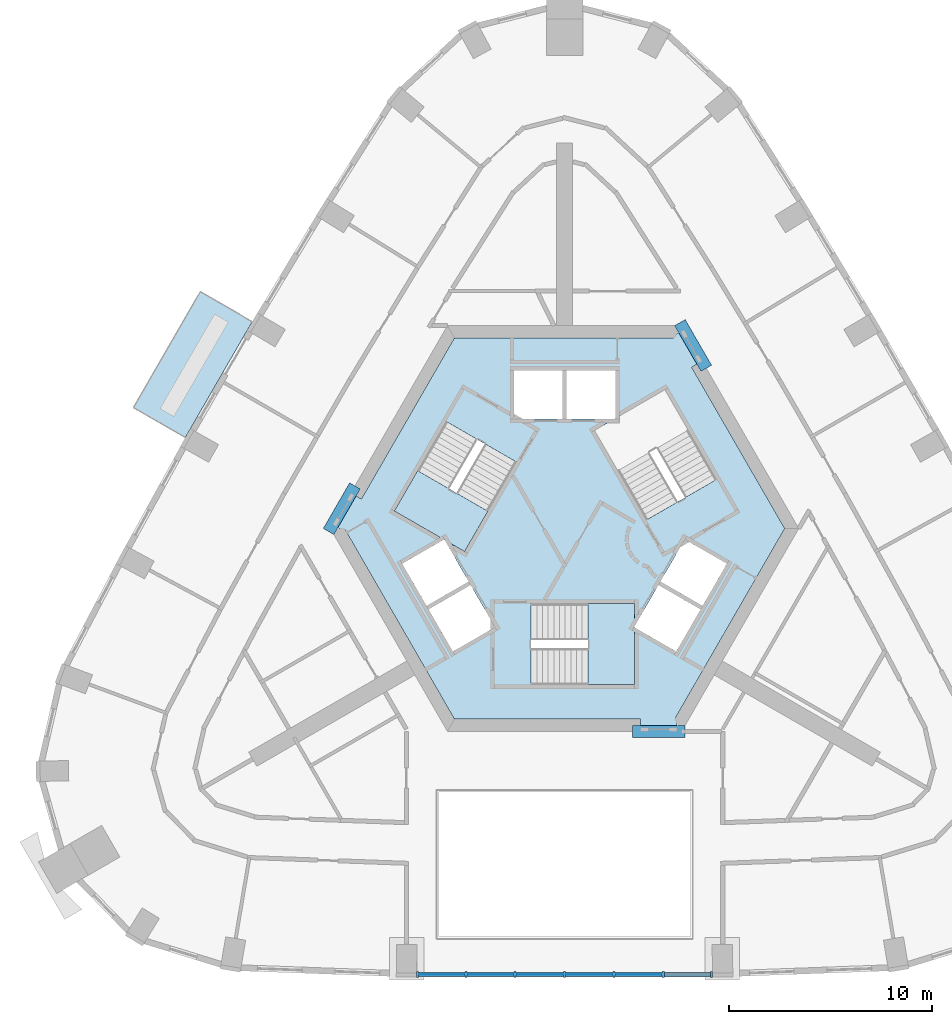
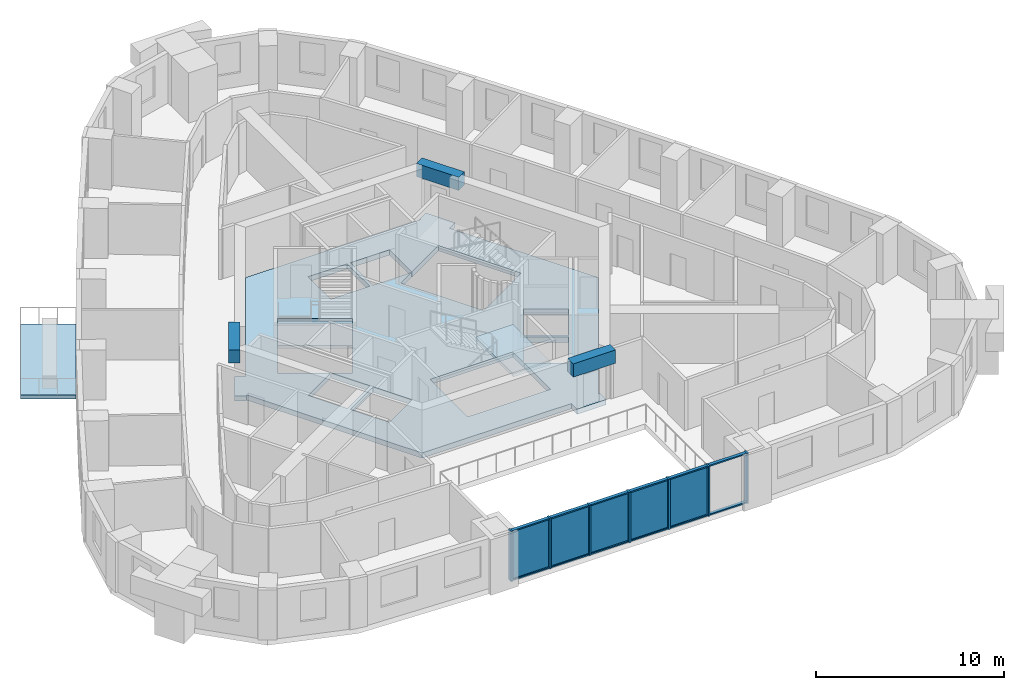
# One storey, part 2 of 11: 19 members, 5 plates, 4 slabs, 3 beams, 3 elements without a shape of their own.
"""IFC4 building model written with IfcOpenShell, lengths in metres."""

import ifcopenshell
import ifcopenshell.guid

model = None  # the IFC model being written
_history = None  # IfcOwnerHistory: only IFC2X3 demands one
_inside = {}  # id of a spatial element -> (the spatial element, [elements in it])
_under = {}  # id of a project, library or spatial element -> (it, [spatial elements below it])
_declared = {}  # id of a project -> (the project, [libraries it declares])
_typed = {}  # id of a type object -> (the type object, [elements of that type])
_made_of = {}  # id of a material, layer set ... -> (it, [elements and type objects made of it])


def new_model(schema):
    """Start an empty IFC model of exactly this schema.

    Asked for "IFC4X3", IfcOpenShell would pick the latest addendum, in which some entities
    have other attributes; the version numbers below select the first issue.
    IFC2X3 requires an IfcOwnerHistory on every rooted entity: one is made here for all.
    """
    global model, _history
    if schema == "IFC4X3":
        model = ifcopenshell.file(schema_version=(4, 3, 0, 0))
    else:
        model = ifcopenshell.file(schema=schema)
    _inside.clear()
    _under.clear()
    _declared.clear()
    _typed.clear()
    _made_of.clear()
    _history = None
    if model.schema == "IFC2X3":
        org = make("IfcOrganization", Name="unknown")
        user = make(
            "IfcPersonAndOrganization",
            ThePerson=make("IfcPerson", FamilyName="unknown"),
            TheOrganization=org,
        )
        app = make(
            "IfcApplication",
            ApplicationDeveloper=org,
            Version="unknown",
            ApplicationFullName="unknown",
            ApplicationIdentifier="unknown",
        )
        _history = make(
            "IfcOwnerHistory",
            OwningUser=user,
            OwningApplication=app,
            ChangeAction="ADDED",
            CreationDate=0,
        )
    return model


def make(cls, **values):
    """One entity of the class cls with the attributes given. An attribute that is None is left unset."""
    return model.create_entity(
        cls, **{name: value for name, value in values.items() if value is not None}
    )


def rooted(cls, **values):
    """An entity with a GlobalId (a new one), such as an element, a storey or a relation."""
    return make(cls, GlobalId=ifcopenshell.guid.new(), OwnerHistory=_history, **values)


def si_unit(unit_type, name, prefix=None):
    """IfcSIUnit, for example si_unit("LENGTHUNIT", "METRE", prefix="MILLI")."""
    return make("IfcSIUnit", UnitType=unit_type, Prefix=prefix, Name=name)


def assignment(units):
    """IfcUnitAssignment: the units of a project."""
    return None if units is None else make("IfcUnitAssignment", Units=units)


def point(xyz):
    """IfcCartesianPoint."""
    return None if xyz is None else make("IfcCartesianPoint", Coordinates=xyz)


def direction(xyz):
    """IfcDirection."""
    return None if xyz is None else make("IfcDirection", DirectionRatios=xyz)


def frame(location, z_axis=None, x_axis=None):
    """IfcAxis2Placement3D, a coordinate frame: its origin and axes. An axis left out is left unset."""
    return make(
        "IfcAxis2Placement3D",
        Location=point(location),
        Axis=direction(z_axis),
        RefDirection=direction(x_axis),
    )


def frame_2d(location, x_axis=None):
    """IfcAxis2Placement2D, a coordinate frame in the plane: its origin and x axis."""
    return make(
        "IfcAxis2Placement2D", Location=point(location), RefDirection=direction(x_axis)
    )


def origin():
    """The frame at (0, 0, 0) with its axes left unset."""
    return frame((0.0, 0.0, 0.0))


def origin_2d():
    """The frame at (0, 0) in the plane with its x axis left unset."""
    return frame_2d((0.0, 0.0))


def place(relative_to, where):
    """IfcLocalPlacement: puts the frame where relative to a parent placement (None: the world)."""
    return make(
        "IfcLocalPlacement", PlacementRelTo=relative_to, RelativePlacement=where
    )


def context(
    kind, dimensions, precision=None, world=None, true_north=None, identifier=None
):
    """IfcGeometricRepresentationContext, for example the 3D "Model" context."""
    return make(
        "IfcGeometricRepresentationContext",
        ContextIdentifier=identifier,
        ContextType=kind,
        CoordinateSpaceDimension=dimensions,
        Precision=precision,
        WorldCoordinateSystem=world,
        TrueNorth=true_north,
    )


def subcontext(parent, identifier, kind, view, scale=None):
    """IfcGeometricRepresentationSubContext, for example "Body" below "Model"."""
    return make(
        "IfcGeometricRepresentationSubContext",
        ContextIdentifier=identifier,
        ContextType=kind,
        ParentContext=parent,
        TargetScale=scale,
        TargetView=view,
    )


def project(units=None, contexts=None):
    """IfcProject with its units and contexts."""
    return rooted(
        "IfcProject",
        Name="project",
        RepresentationContexts=contexts,
        UnitsInContext=assignment(units),
    )


def spatial(cls, under=None, at=None, **own):
    """A site, building, storey or space (cls), placed at a placement, below another one or the project."""
    s = rooted(cls, ObjectPlacement=at, **own)
    if under is not None:
        _under.setdefault(under.id(), (under, []))[1].append(s)
    return s


def polyline(points):
    """IfcPolyline through the points."""
    return make("IfcPolyline", Points=[point(p) for p in points])


def profile(cls, at=None, kind="AREA", **sizes):
    """A parametric profile (cls). Its sizes go by their IFC names, for example OverallWidth=200.0."""
    return make(cls, ProfileType=kind, Position=at, **sizes)


def rectangle(**sizes):
    """IfcRectangleProfileDef."""
    return profile("IfcRectangleProfileDef", **sizes)


def outline(outer, holes=None, kind="AREA"):
    """IfcArbitraryClosedProfileDef: a profile drawn as a closed curve; with holes, ...WithVoids."""
    if holes is None:
        return make("IfcArbitraryClosedProfileDef", ProfileType=kind, OuterCurve=outer)
    return make(
        "IfcArbitraryProfileDefWithVoids",
        ProfileType=kind,
        OuterCurve=outer,
        InnerCurves=holes,
    )


def extrude(swept, where, along, depth):
    """IfcExtrudedAreaSolid: the profile swept, set in the frame where, extruded along a direction by depth."""
    return make(
        "IfcExtrudedAreaSolid",
        SweptArea=swept,
        Position=where,
        ExtrudedDirection=direction(along),
        Depth=depth,
    )


def shape(context_of_items, identifier, shape_type, items):
    """IfcShapeRepresentation: the items that make up one representation, for example the "Body"."""
    return make(
        "IfcShapeRepresentation",
        ContextOfItems=context_of_items,
        RepresentationIdentifier=identifier,
        RepresentationType=shape_type,
        Items=items,
    )


def material(Name=None, Category=None):
    """IfcMaterial."""
    return make("IfcMaterial", Name=Name, Category=Category)


def layer(
    of_material, thickness, ventilated=None, Name=None, Category=None, Priority=None
):
    """IfcMaterialLayer: one layer of a wall or slab, of a material (None: an air gap)."""
    return make(
        "IfcMaterialLayer",
        Material=of_material,
        LayerThickness=thickness,
        IsVentilated=ventilated,
        Name=Name,
        Category=Category,
        Priority=Priority,
    )


def layer_set(layers, Name=None):
    """IfcMaterialLayerSet."""
    return make("IfcMaterialLayerSet", MaterialLayers=layers, LayerSetName=Name)


def material_profile(
    of_material, cross_section, Name=None, Category=None, Priority=None
):
    """IfcMaterialProfile: a cross section and its material."""
    return make(
        "IfcMaterialProfile",
        Name=Name,
        Material=of_material,
        Profile=cross_section,
        Priority=Priority,
        Category=Category,
    )


def profile_set(profiles, Name=None, composite=None):
    """IfcMaterialProfileSet."""
    return make(
        "IfcMaterialProfileSet",
        Name=Name,
        MaterialProfiles=profiles,
        CompositeProfile=composite,
    )


def made_of(thing, what):
    """Note that an element or type object is made of a material, layer set ...; save() writes the relation."""
    if what is not None:
        _made_of.setdefault(what.id(), (what, []))[1].append(thing)
    return thing


def type_object(cls, material=None, **own):
    """A type object (cls), such as IfcWallType, which elements share."""
    return made_of(rooted(cls, **own), material)


def element(
    cls,
    number,
    at=None,
    inside=None,
    cuts=None,
    type_object=None,
    material=None,
    context=None,
    identifier="Body",
    shape_type=None,
    held_by="IfcProductDefinitionShape",
    body=None,
    shapes=None,
    **own,
):
    """One element of the class cls, such as IfcWall. Its Tag is "e" and its number.

    at: its placement. inside: the storey or other place that contains it. cuts: it is an
    opening in that element (IfcRelVoidsElement). A single representation is given by context,
    identifier, shape_type and body (its items); several are given by shapes. held_by: the class
    of the entity that holds the representations. save() writes the other relations.
    """
    e = rooted(cls, Tag="e%d" % number, ObjectPlacement=at, **own)
    if body is not None:
        shapes = [shape(context, identifier, shape_type, body)]
    if shapes is not None:
        e.Representation = make(held_by, Representations=shapes)
    if inside is not None:
        _inside.setdefault(inside.id(), (inside, []))[1].append(e)
    if cuts is not None:
        rooted(
            "IfcRelVoidsElement", RelatingBuildingElement=cuts, RelatedOpeningElement=e
        )
    if type_object is not None:
        _typed.setdefault(type_object.id(), (type_object, []))[1].append(e)
    return made_of(e, material)


def aggregate(whole, parts):
    """IfcRelAggregates: a whole, such as a stair, and the parts it consists of."""
    return rooted("IfcRelAggregates", RelatingObject=whole, RelatedObjects=parts)


def save(model, path):
    """Write the relations noted so far, then the file.

    IfcRelAggregates (storeys below a building ...), IfcRelContainedInSpatialStructure (elements
    in a storey), IfcRelDefinesByType, IfcRelAssociatesMaterial and IfcRelDeclares: one each for
    every whole, place, type object, material and project.
    """
    for whole, parts in _under.values():
        aggregate(whole, parts)
    for where, things in _inside.values():
        rooted(
            "IfcRelContainedInSpatialStructure",
            RelatedElements=things,
            RelatingStructure=where,
        )
    for kind, things in _typed.values():
        rooted("IfcRelDefinesByType", RelatedObjects=things, RelatingType=kind)
    for what, things in _made_of.values():
        rooted("IfcRelAssociatesMaterial", RelatedObjects=things, RelatingMaterial=what)
    for by, libraries in _declared.values():
        rooted("IfcRelDeclares", RelatingContext=by, RelatedDefinitions=libraries)
    model.write(path)


model = new_model("IFC4")

# Units and contexts
model_context = context("Model", 3, precision=1e-05, world=origin(), true_north=direction((0.0, 1.0)))
body_context = subcontext(model_context, "Body", "Model", "MODEL_VIEW")
ifc_project = project(units=[si_unit("LENGTHUNIT", "METRE"), si_unit("AREAUNIT", "SQUARE_METRE"), si_unit("VOLUMEUNIT", "CUBIC_METRE"), si_unit("PLANEANGLEUNIT", "RADIAN"), si_unit("MASSUNIT", "GRAM", prefix="KILO")], contexts=[model_context])

# Site, building, storey
site_placement = place(None, origin())
site = spatial("IfcSite", under=ifc_project, at=site_placement, CompositionType="ELEMENT")
building_placement = place(site_placement, origin())
building = spatial("IfcBuilding", under=site, at=building_placement, Name="Entoto Arch Interchange Tower", CompositionType="ELEMENT")
storey_placement = place(building_placement, frame((0.0, 0.0, 248.60009765625)))
storey = spatial("IfcBuildingStorey", under=building, at=storey_placement, Name="L56", CompositionType="ELEMENT", Elevation=248.60009765625)

# Beams
ifc_material_1 = material(Name="Concrete C40/50", Category="concrete")
ifc_material_profile_1 = material_profile(ifc_material_1, rectangle(XDim=0.60009765625, YDim=0.860107421875, at=origin_2d()))
ifc_profile_set_1 = profile_set([ifc_material_profile_1], Name="Concrete C40/50")
beam_type = type_object("IfcBeamType", Name="Coupling beam RC 600x860 C40/50", PredefinedType="BEAM", material=ifc_profile_set_1)
beam_1_placement = place(storey_placement, frame((6.986083984375, 10.40087890625, 2.829833984375), z_axis=(-0.500379508478, 0.865806183562, 0.0), x_axis=(-0.865806183562, -0.500379508478, 0.0)))
element("IfcBeam", 1, at=beam_1_placement, inside=storey, type_object=beam_type, Name="Coupling beam NE L56", PredefinedType="BEAM", context=body_context, shape_type="SweptSolid", body=[
    extrude(rectangle(XDim=0.60009765625, YDim=0.860107421875, at=origin_2d()), origin(), (0.0, 0.0, 1.0), 2.59423828125),
])
beam_2_placement = place(storey_placement, frame((-10.3359375, 4.59912109375, 2.829833984375), z_axis=(-0.499814819145, -0.866132291606, 0.0), x_axis=(0.866132291606, -0.499814819145, 0.0)))
element("IfcBeam", 2, at=beam_2_placement, inside=storey, type_object=beam_type, Name="Coupling beam NW L56", PredefinedType="BEAM", context=body_context, shape_type="SweptSolid", body=[
    extrude(rectangle(XDim=0.60009765625, YDim=0.860107421875, at=origin_2d()), origin(), (0.0, 0.0, 1.0), 2.59326171875),
])
beam_3_placement = place(storey_placement, frame((3.35009765625, -7.5, 2.829833984375), z_axis=(1.0, 0.0, 0.0), x_axis=(0.0, 1.0, 0.0)))
element("IfcBeam", 3, at=beam_3_placement, inside=storey, type_object=beam_type, Name="Coupling beam S L56", PredefinedType="BEAM", context=body_context, shape_type="SweptSolid", body=[
    extrude(rectangle(XDim=0.60009765625, YDim=0.860107421875, at=origin_2d()), origin(), (0.0, 0.0, 1.0), 2.593994140625),
])

# Curtain wall, members
ifc_material_2 = material(Name="Aluminium, anodised", Category="aluminium")
curtain_wall_type = type_object("IfcCurtainWallType", Name="CURTAIN WALL ATRIUM", PredefinedType="NOTDEFINED", material=ifc_material_2)
curtain_wall_placement = place(storey_placement, origin())
curtain_wall = element("IfcCurtainWall", 4, at=curtain_wall_placement, inside=storey, type_object=curtain_wall_type, Name="Atrium glazing S-02 L56", PredefinedType="NOTDEFINED")
ifc_material_profile_2 = material_profile(ifc_material_2, rectangle(XDim=0.300048828125, YDim=0.10009765625, at=origin_2d()))
ifc_profile_set_2 = profile_set([ifc_material_profile_2], Name="Aluminium, anodised")
member_type_1 = type_object("IfcMemberType", Name="MULLION ATRIUM 100x300", PredefinedType="MULLION", material=ifc_profile_set_2)
member_1_placement = place(storey_placement, frame((-7.2490234375, -19.48291015625, 0.0), z_axis=(0.0, 0.0, 1.0), x_axis=(0.0, 1.0, 0.0)))
member_1 = element("IfcMember", 5, at=member_1_placement, type_object=member_type_1, Name="CWA mullion 1", PredefinedType="MULLION", context=body_context, shape_type="SweptSolid", body=[
    extrude(rectangle(XDim=0.300048828125, YDim=0.10009765625, at=origin_2d()), origin(), (0.0, 0.0, 1.0), 3.260009765625),
])
member_2_placement = place(storey_placement, frame((-4.865966796875, -19.48291015625, 0.0), z_axis=(0.0, 0.0, 1.0), x_axis=(0.0, 1.0, 0.0)))
member_2 = element("IfcMember", 6, at=member_2_placement, type_object=member_type_1, Name="CWA mullion 2", PredefinedType="MULLION", context=body_context, shape_type="SweptSolid", body=[
    extrude(rectangle(XDim=0.300048828125, YDim=0.10009765625, at=origin_2d()), origin(), (0.0, 0.0, 1.0), 3.260009765625),
])
member_3_placement = place(storey_placement, frame((-2.43310546875, -19.48291015625, 0.0), z_axis=(0.0, 0.0, 1.0), x_axis=(0.0, 1.0, 0.0)))
member_3 = element("IfcMember", 7, at=member_3_placement, type_object=member_type_1, Name="CWA mullion 3", PredefinedType="MULLION", context=body_context, shape_type="SweptSolid", body=[
    extrude(rectangle(XDim=0.300048828125, YDim=0.10009765625, at=origin_2d()), origin(), (0.0, 0.0, 1.0), 3.260009765625),
])
member_4_placement = place(storey_placement, frame((0.0, -19.48291015625, 0.0), z_axis=(0.0, 0.0, 1.0), x_axis=(0.0, 1.0, 0.0)))
member_4 = element("IfcMember", 8, at=member_4_placement, type_object=member_type_1, Name="CWA mullion 4", PredefinedType="MULLION", context=body_context, shape_type="SweptSolid", body=[
    extrude(rectangle(XDim=0.300048828125, YDim=0.10009765625, at=origin_2d()), origin(), (0.0, 0.0, 1.0), 3.260009765625),
])
member_5_placement = place(storey_placement, frame((2.43310546875, -19.48291015625, 0.0), z_axis=(0.0, 0.0, 1.0), x_axis=(0.0, 1.0, 0.0)))
member_5 = element("IfcMember", 9, at=member_5_placement, type_object=member_type_1, Name="CWA mullion 5", PredefinedType="MULLION", context=body_context, shape_type="SweptSolid", body=[
    extrude(rectangle(XDim=0.300048828125, YDim=0.10009765625, at=origin_2d()), origin(), (0.0, 0.0, 1.0), 3.260009765625),
])
member_6_placement = place(storey_placement, frame((4.865966796875, -19.48291015625, 0.0), z_axis=(0.0, 0.0, 1.0), x_axis=(0.0, 1.0, 0.0)))
member_6 = element("IfcMember", 10, at=member_6_placement, type_object=member_type_1, Name="CWA mullion 6", PredefinedType="MULLION", context=body_context, shape_type="SweptSolid", body=[
    extrude(rectangle(XDim=0.300048828125, YDim=0.10009765625, at=origin_2d()), origin(), (0.0, 0.0, 1.0), 3.260009765625),
])
member_7_placement = place(storey_placement, frame((7.2490234375, -19.48291015625, 0.0), z_axis=(0.0, 0.0, 1.0), x_axis=(0.0, 1.0, 0.0)))
member_7 = element("IfcMember", 11, at=member_7_placement, type_object=member_type_1, Name="CWA mullion 7", PredefinedType="MULLION", context=body_context, shape_type="SweptSolid", body=[
    extrude(rectangle(XDim=0.300048828125, YDim=0.10009765625, at=origin_2d()), origin(), (0.0, 0.0, 1.0), 3.260009765625),
])
ifc_material_profile_3 = material_profile(ifc_material_2, rectangle(XDim=0.199951171875, YDim=0.080078125, at=origin_2d()))
ifc_profile_set_3 = profile_set([ifc_material_profile_3], Name="Aluminium, anodised")
member_type_2 = type_object("IfcMemberType", Name="TRANSOM ATRIUM 80x200", PredefinedType="USERDEFINED", material=ifc_profile_set_3)
member_8_placement = place(storey_placement, frame((-7.198974609375, -19.48291015625, 0.039794921875), z_axis=(1.0, 0.0, 0.0), x_axis=(0.0, 1.0, 0.0)))
member_8 = element("IfcMember", 12, at=member_8_placement, type_object=member_type_2, Name="CWA transom 1.1", ObjectType="TRANSOM", PredefinedType="USERDEFINED", context=body_context, shape_type="SweptSolid", body=[
    extrude(rectangle(XDim=0.199951171875, YDim=0.080078125, at=origin_2d()), origin(), (0.0, 0.0, 1.0), 2.282958984375),
])
member_9_placement = place(storey_placement, frame((-7.198974609375, -19.48291015625, 3.219970703125), z_axis=(1.0, 0.0, 0.0), x_axis=(0.0, 1.0, 0.0)))
member_9 = element("IfcMember", 13, at=member_9_placement, type_object=member_type_2, Name="CWA transom 1.2", ObjectType="TRANSOM", PredefinedType="USERDEFINED", context=body_context, shape_type="SweptSolid", body=[
    extrude(rectangle(XDim=0.199951171875, YDim=0.080078125, at=origin_2d()), origin(), (0.0, 0.0, 1.0), 2.282958984375),
])
member_10_placement = place(storey_placement, frame((-4.81591796875, -19.48291015625, 0.039794921875), z_axis=(1.0, 0.0, 0.0), x_axis=(0.0, 1.0, 0.0)))
member_10 = element("IfcMember", 14, at=member_10_placement, type_object=member_type_2, Name="CWA transom 2.1", ObjectType="TRANSOM", PredefinedType="USERDEFINED", context=body_context, shape_type="SweptSolid", body=[
    extrude(rectangle(XDim=0.199951171875, YDim=0.080078125, at=origin_2d()), origin(), (0.0, 0.0, 1.0), 2.3330078125),
])
member_11_placement = place(storey_placement, frame((-4.81591796875, -19.48291015625, 3.219970703125), z_axis=(1.0, 0.0, 0.0), x_axis=(0.0, 1.0, 0.0)))
member_11 = element("IfcMember", 15, at=member_11_placement, type_object=member_type_2, Name="CWA transom 2.2", ObjectType="TRANSOM", PredefinedType="USERDEFINED", context=body_context, shape_type="SweptSolid", body=[
    extrude(rectangle(XDim=0.199951171875, YDim=0.080078125, at=origin_2d()), origin(), (0.0, 0.0, 1.0), 2.3330078125),
])
member_12_placement = place(storey_placement, frame((-2.383056640625, -19.48291015625, 0.039794921875), z_axis=(1.0, 0.0, 0.0), x_axis=(0.0, 1.0, 0.0)))
member_12 = element("IfcMember", 16, at=member_12_placement, type_object=member_type_2, Name="CWA transom 3.1", ObjectType="TRANSOM", PredefinedType="USERDEFINED", context=body_context, shape_type="SweptSolid", body=[
    extrude(rectangle(XDim=0.199951171875, YDim=0.080078125, at=origin_2d()), origin(), (0.0, 0.0, 1.0), 2.3330078125),
])
member_13_placement = place(storey_placement, frame((-2.383056640625, -19.48291015625, 3.219970703125), z_axis=(1.0, 0.0, 0.0), x_axis=(0.0, 1.0, 0.0)))
member_13 = element("IfcMember", 17, at=member_13_placement, type_object=member_type_2, Name="CWA transom 3.2", ObjectType="TRANSOM", PredefinedType="USERDEFINED", context=body_context, shape_type="SweptSolid", body=[
    extrude(rectangle(XDim=0.199951171875, YDim=0.080078125, at=origin_2d()), origin(), (0.0, 0.0, 1.0), 2.3330078125),
])
member_14_placement = place(storey_placement, frame((0.050048828125, -19.48291015625, 0.039794921875), z_axis=(1.0, 0.0, 0.0), x_axis=(0.0, 1.0, 0.0)))
member_14 = element("IfcMember", 18, at=member_14_placement, type_object=member_type_2, Name="CWA transom 4.1", ObjectType="TRANSOM", PredefinedType="USERDEFINED", context=body_context, shape_type="SweptSolid", body=[
    extrude(rectangle(XDim=0.199951171875, YDim=0.080078125, at=origin_2d()), origin(), (0.0, 0.0, 1.0), 2.3330078125),
])
member_15_placement = place(storey_placement, frame((0.050048828125, -19.48291015625, 3.219970703125), z_axis=(1.0, 0.0, 0.0), x_axis=(0.0, 1.0, 0.0)))
member_15 = element("IfcMember", 19, at=member_15_placement, type_object=member_type_2, Name="CWA transom 4.2", ObjectType="TRANSOM", PredefinedType="USERDEFINED", context=body_context, shape_type="SweptSolid", body=[
    extrude(rectangle(XDim=0.199951171875, YDim=0.080078125, at=origin_2d()), origin(), (0.0, 0.0, 1.0), 2.3330078125),
])
member_16_placement = place(storey_placement, frame((2.48291015625, -19.48291015625, 0.039794921875), z_axis=(1.0, 0.0, 0.0), x_axis=(0.0, 1.0, 0.0)))
member_16 = element("IfcMember", 20, at=member_16_placement, type_object=member_type_2, Name="CWA transom 5.1", ObjectType="TRANSOM", PredefinedType="USERDEFINED", context=body_context, shape_type="SweptSolid", body=[
    extrude(rectangle(XDim=0.199951171875, YDim=0.080078125, at=origin_2d()), origin(), (0.0, 0.0, 1.0), 2.3330078125),
])
member_17_placement = place(storey_placement, frame((2.48291015625, -19.48291015625, 3.219970703125), z_axis=(1.0, 0.0, 0.0), x_axis=(0.0, 1.0, 0.0)))
member_17 = element("IfcMember", 21, at=member_17_placement, type_object=member_type_2, Name="CWA transom 5.2", ObjectType="TRANSOM", PredefinedType="USERDEFINED", context=body_context, shape_type="SweptSolid", body=[
    extrude(rectangle(XDim=0.199951171875, YDim=0.080078125, at=origin_2d()), origin(), (0.0, 0.0, 1.0), 2.3330078125),
])
member_18_placement = place(storey_placement, frame((4.916015625, -19.48291015625, 0.039794921875), z_axis=(1.0, 0.0, 0.0), x_axis=(0.0, 1.0, 0.0)))
member_18 = element("IfcMember", 22, at=member_18_placement, type_object=member_type_2, Name="CWA transom 6.1", ObjectType="TRANSOM", PredefinedType="USERDEFINED", context=body_context, shape_type="SweptSolid", body=[
    extrude(rectangle(XDim=0.199951171875, YDim=0.080078125, at=origin_2d()), origin(), (0.0, 0.0, 1.0), 2.282958984375),
])
member_19_placement = place(storey_placement, frame((4.916015625, -19.48291015625, 3.219970703125), z_axis=(1.0, 0.0, 0.0), x_axis=(0.0, 1.0, 0.0)))
member_19 = element("IfcMember", 23, at=member_19_placement, type_object=member_type_2, Name="CWA transom 6.2", ObjectType="TRANSOM", PredefinedType="USERDEFINED", context=body_context, shape_type="SweptSolid", body=[
    extrude(rectangle(XDim=0.199951171875, YDim=0.080078125, at=origin_2d()), origin(), (0.0, 0.0, 1.0), 2.282958984375),
])

# Slabs
ifc_material_3 = material(Name="Board-marked precast concrete C50/60", Category="concrete")
ifc_layer_1 = layer(ifc_material_3, 0.25)
ifc_layer_set_1 = layer_set([ifc_layer_1], Name="Board-marked precast concrete C50/60")
slab_type_1 = type_object("IfcSlabType", Name="BALCONY DECK PRECAST 250", PredefinedType="FLOOR", material=ifc_layer_set_1)
slab_1_placement = place(storey_placement, frame((0.0, 0.0, -0.25)))
element("IfcSlab", 24, at=slab_1_placement, inside=storey, type_object=slab_type_1, Name="Planted balcony NW-03 L56", PredefinedType="FLOOR", context=body_context, shape_type="SweptSolid", body=[
    extrude(outline(polyline([(-15.39794921875, 12.697021484375), (-18.695068359375, 6.986083984375), (-21.25, 8.4609375), (-17.952880859375, 14.172119140625), (-15.39794921875, 12.697021484375)])), origin(), (0.0, 0.0, 1.0), 0.25),
])
ifc_layer_2 = layer(ifc_material_1, 0.340087890625)
ifc_layer_set_2 = layer_set([ifc_layer_2], Name="Concrete C40/50")
slab_type_2 = type_object("IfcSlabType", Name="Core floor slab 340 C40/50", PredefinedType="FLOOR", material=ifc_layer_set_2)
slab_2_placement = place(storey_placement, frame((0.0, 0.0, -0.340087890625)))
element("IfcSlab", 25, at=slab_2_placement, inside=storey, type_object=slab_type_2, Name="Core floor slab L56", PredefinedType="FLOOR", context=body_context, shape_type="SweptSolid", body=[
    extrude(outline(polyline([(-10.824951171875, 2.450927734375), (-10.8701171875, 2.3740234375), (-11.431884765625, 2.698974609375), (-10.535888671875, 4.2529296875), (-10.014892578125, 3.952880859375), (-5.427001953125, 11.89990234375), (5.368896484375, 11.89990234375), (5.325927734375, 11.97607421875), (5.887939453125, 12.301025390625), (6.784912109375, 10.7470703125), (6.26611328125, 10.447021484375), (10.85400390625, 2.5), (5.4560546875, -6.85009765625), (5.5439453125, -6.85009765625), (5.5439453125, -7.5), (3.75, -7.5), (3.75, -6.89990234375), (-5.427001953125, -6.89990234375), (-10.824951171875, 2.450927734375)]), holes=[polyline([(-1.64990234375, -5.199951171875), (3.449951171875, -5.199951171875), (3.449951171875, -2.3779296875), (5.5048828125, -3.56494140625), (6.705078125, -1.487060546875), (4.626953125, -0.287109375), (3.449951171875, -2.324951171875), (3.449951171875, -1.199951171875), (-1.64990234375, -1.199951171875), (-1.64990234375, -5.199951171875)]), polyline([(-4.626953125, -0.287109375), (-6.705078125, -1.487060546875), (-5.5048828125, -3.56494140625), (-3.427001953125, -2.364990234375), (-4.626953125, -0.287109375)]), polyline([(-5.904052734375, 1.925048828125), (-4.928955078125, 1.362060546875), (-2.37890625, 5.779052734375), (-5.843017578125, 7.779052734375), (-8.39306640625, 3.362060546875), (-5.949951171875, 1.951904296875), (-8.0048828125, 0.764892578125), (-6.804931640625, -1.31298828125), (-4.72705078125, -0.113037109375), (-5.904052734375, 1.925048828125)]), polyline([(4.72705078125, -0.113037109375), (6.804931640625, -1.31298828125), (8.0048828125, 0.764892578125), (5.927001953125, 1.965087890625), (4.72705078125, -0.113037109375)]), polyline([(2.5, 7.927001953125), (2.5, 10.300048828125), (0.10009765625, 10.300048828125), (0.10009765625, 7.89990234375), (2.452880859375, 7.89990234375), (1.47900390625, 7.337890625), (4.029052734375, 2.9208984375), (7.492919921875, 4.9208984375), (4.943115234375, 9.337890625), (2.5, 7.927001953125)]), polyline([(-2.5, 7.89990234375), (-0.10009765625, 7.89990234375), (-0.10009765625, 10.300048828125), (-2.5, 10.300048828125), (-2.5, 7.89990234375)])]), origin(), (0.0, 0.0, 1.0), 0.340087890625),
])

# Stair, slab
stair_type = type_object("IfcStairType", Name="EXIT STAIR RC 1800", PredefinedType="HALF_TURN_STAIR", material=ifc_material_1)
stair_1_placement = place(storey_placement, origin())
stair_1 = element("IfcStair", 26, at=stair_1_placement, inside=storey, type_object=stair_type, Name="L56 Exit stair S", PredefinedType="HALF_TURN_STAIR")
ifc_layer_3 = layer(ifc_material_1, 0.199951171875)
ifc_layer_set_3 = layer_set([ifc_layer_3], Name="Concrete C40/50")
slab_type_3 = type_object("IfcSlabType", Name="EXIT STAIR LANDING RC 200", PredefinedType="LANDING", material=ifc_layer_set_3)
slab_3_placement = place(storey_placement, frame((0.0, 0.0, 1.599853515625)))
slab_3 = element("IfcSlab", 27, at=slab_3_placement, type_object=slab_type_3, Name="ST-S landing 1", PredefinedType="LANDING", context=body_context, shape_type="SweptSolid", body=[
    extrude(outline(polyline([(1.14990234375, -5.199951171875), (3.449951171875, -5.199951171875), (3.449951171875, -1.199951171875), (1.14990234375, -1.199951171875), (1.14990234375, -5.199951171875)])), origin(), (0.0, 0.0, 1.0), 0.199951171875),
])
aggregate(stair_1, [slab_3])

stair_2_placement = place(storey_placement, origin())
stair_2 = element("IfcStair", 28, at=stair_2_placement, inside=storey, type_object=stair_type, Name="L56 Exit stair NW", PredefinedType="HALF_TURN_STAIR")
slab_4_placement = place(storey_placement, frame((0.0, 0.0, 1.599853515625)))
slab_4 = element("IfcSlab", 29, at=slab_4_placement, type_object=slab_type_3, Name="ST-NW landing 1", PredefinedType="LANDING", context=body_context, shape_type="SweptSolid", body=[
    extrude(outline(polyline([(-7.243408203125, 5.35400390625), (-8.393310546875, 3.3623046875), (-4.92919921875, 1.3623046875), (-3.779296875, 3.35400390625), (-7.243408203125, 5.35400390625)])), origin(), (0.0, 0.0, 1.0), 0.199951171875),
])
aggregate(stair_2, [slab_4])

# Plate
ifc_material_4 = material(Name="Clear glass, low-e double glazed", Category="glass")
ifc_layer_4 = layer(ifc_material_4, 0.031982421875)
ifc_layer_set_4 = layer_set([ifc_layer_4], Name="Clear glass, low-e double glazed")
plate_type = type_object("IfcPlateType", Name="GLAZING PANEL ATRIUM 32", PredefinedType="CURTAIN_PANEL", material=ifc_layer_set_4)
plate_1_placement = place(storey_placement, frame((-6.0576171875, -19.48291015625, 0.079833984375), z_axis=(0.0, 0.0, 1.0), x_axis=(1.0, 0.0, 0.0)))
plate_1 = element("IfcPlate", 30, at=plate_1_placement, type_object=plate_type, Name="CWA panel 1.1", PredefinedType="CURTAIN_PANEL", context=body_context, shape_type="SweptSolid", body=[
    extrude(rectangle(XDim=2.282958984375, YDim=0.031982421875, at=origin_2d()), origin(), (0.0, 0.0, 1.0), 3.10009765625),
])

plate_2_placement = place(storey_placement, frame((-3.6494140625, -19.48291015625, 0.079833984375), z_axis=(0.0, 0.0, 1.0), x_axis=(1.0, 0.0, 0.0)))
plate_2 = element("IfcPlate", 31, at=plate_2_placement, type_object=plate_type, Name="CWA panel 2.1", PredefinedType="CURTAIN_PANEL", context=body_context, shape_type="SweptSolid", body=[
    extrude(rectangle(XDim=2.3330078125, YDim=0.031982421875, at=origin_2d()), origin(), (0.0, 0.0, 1.0), 3.10009765625),
])

plate_3_placement = place(storey_placement, frame((-1.216552734375, -19.48291015625, 0.079833984375), z_axis=(0.0, 0.0, 1.0), x_axis=(1.0, 0.0, 0.0)))
plate_3 = element("IfcPlate", 32, at=plate_3_placement, type_object=plate_type, Name="CWA panel 3.1", PredefinedType="CURTAIN_PANEL", context=body_context, shape_type="SweptSolid", body=[
    extrude(rectangle(XDim=2.3330078125, YDim=0.031982421875, at=origin_2d()), origin(), (0.0, 0.0, 1.0), 3.10009765625),
])

plate_4_placement = place(storey_placement, frame((1.216552734375, -19.48291015625, 0.079833984375), z_axis=(0.0, 0.0, 1.0), x_axis=(1.0, 0.0, 0.0)))
plate_4 = element("IfcPlate", 33, at=plate_4_placement, type_object=plate_type, Name="CWA panel 4.1", PredefinedType="CURTAIN_PANEL", context=body_context, shape_type="SweptSolid", body=[
    extrude(rectangle(XDim=2.3330078125, YDim=0.031982421875, at=origin_2d()), origin(), (0.0, 0.0, 1.0), 3.10009765625),
])

plate_5_placement = place(storey_placement, frame((3.6494140625, -19.48291015625, 0.079833984375), z_axis=(0.0, 0.0, 1.0), x_axis=(1.0, 0.0, 0.0)))
plate_5 = element("IfcPlate", 34, at=plate_5_placement, type_object=plate_type, Name="CWA panel 5.1", PredefinedType="CURTAIN_PANEL", context=body_context, shape_type="SweptSolid", body=[
    extrude(rectangle(XDim=2.3330078125, YDim=0.031982421875, at=origin_2d()), origin(), (0.0, 0.0, 1.0), 3.10009765625),
])

aggregate(curtain_wall, [member_1, member_2, member_3, member_4, member_5, member_6, member_7, member_8, member_9, plate_1, member_10, member_11, plate_2, member_12, member_13, plate_3, member_14, member_15, plate_4, member_16, member_17, plate_5, member_18, member_19])

save(model, "model.ifc")
